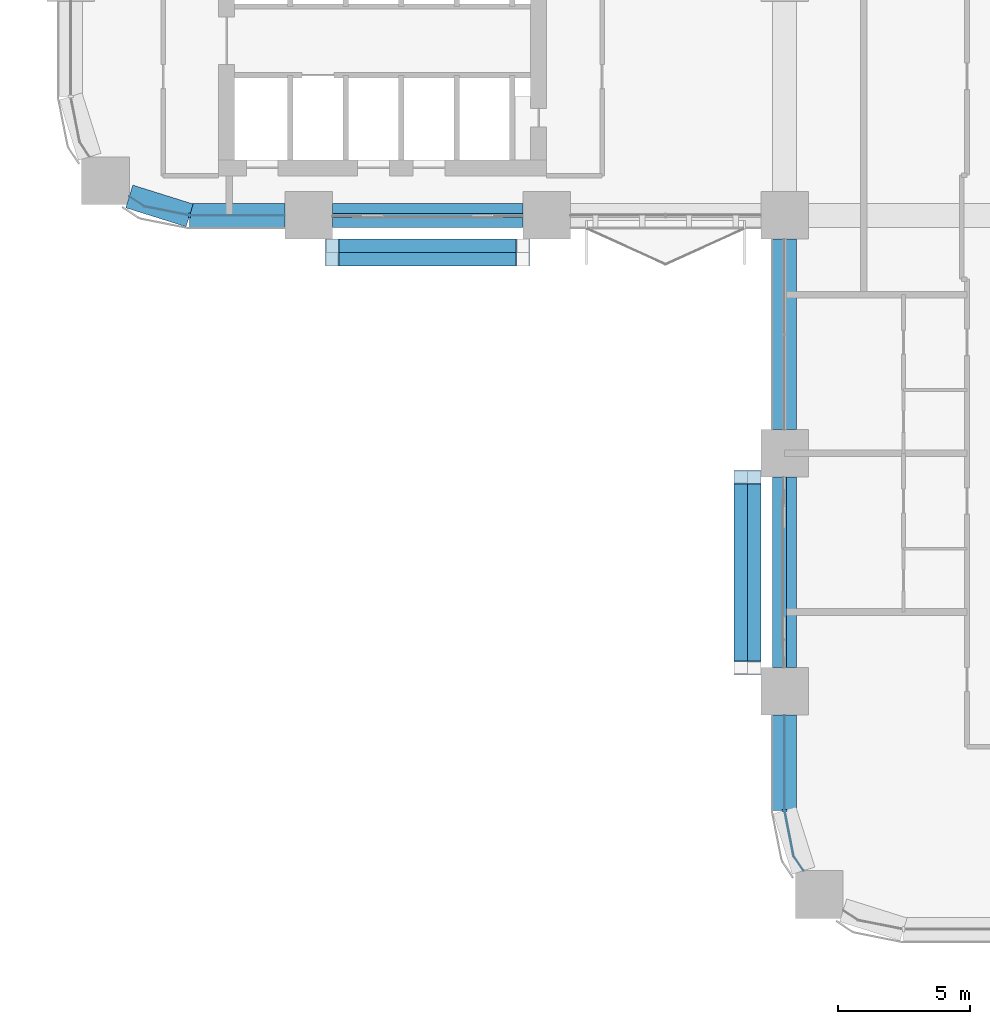
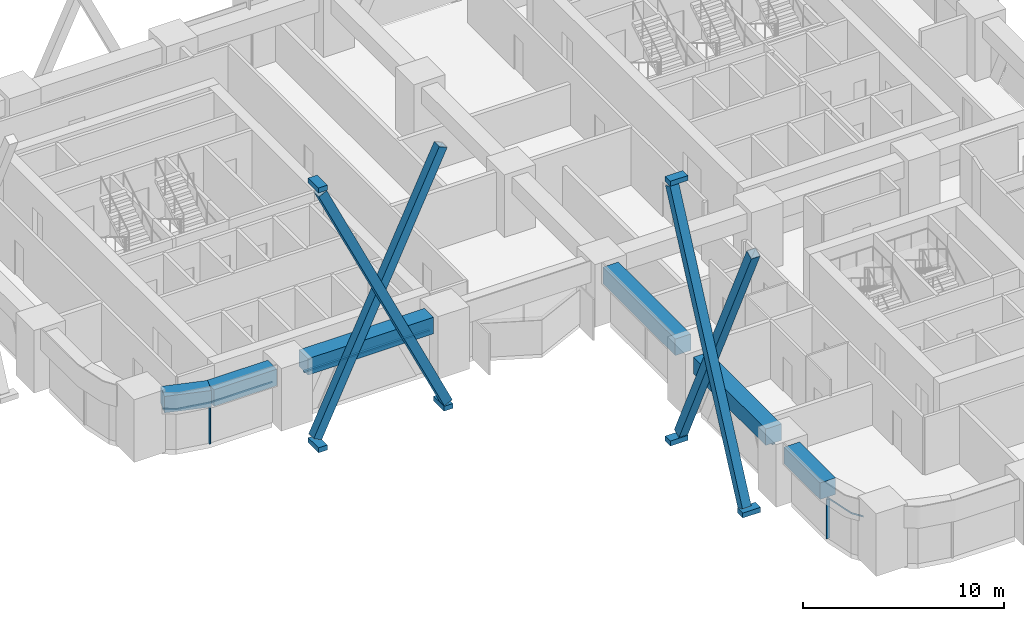
# One storey, part 2 of 19: 16 members, 6 beams, 4 elements without a shape of their own.
"""IFC4 building model written with IfcOpenShell, lengths in metres."""

from ifc_helpers import new_model, si_unit, direction, frame, origin, origin_2d, place, context, subcontext, project, spatial, polyline, rectangle, hollow_rectangle, outline, extrude, material, layer, layer_set, material_profile, profile_set, type_object, element, aggregate, save


model = new_model("IFC4")

# Units and contexts
model_context = context("Model", 3, precision=1e-05, world=origin(), true_north=direction((0.0, 1.0)))
body_context = subcontext(model_context, "Body", "Model", "MODEL_VIEW")
ifc_project = project(units=[si_unit("LENGTHUNIT", "METRE"), si_unit("AREAUNIT", "SQUARE_METRE"), si_unit("VOLUMEUNIT", "CUBIC_METRE"), si_unit("PLANEANGLEUNIT", "RADIAN"), si_unit("MASSUNIT", "GRAM", prefix="KILO")], contexts=[model_context])

# Site, building, storey
site_placement = place(None, origin())
site = spatial("IfcSite", under=ifc_project, at=site_placement, CompositionType="ELEMENT")
building_placement = place(site_placement, origin())
building = spatial("IfcBuilding", under=site, at=building_placement, Name="Tessera Arch", CompositionType="ELEMENT")
storey_placement = place(building_placement, frame((0.0, 0.0, 93.0)))
storey = spatial("IfcBuildingStorey", under=building, at=storey_placement, Name="L21", CompositionType="ELEMENT", Elevation=93.0)

# Members
ifc_material_1 = material(Name="Steel A500 Gr C", Category="steel")
ifc_material_profile_1 = material_profile(ifc_material_1, hollow_rectangle(XDim=0.508056640625, YDim=0.508056640625, WallThickness=0.0146484375, at=origin_2d()), Name="HSS20x20x5/8")
ifc_profile_set_1 = profile_set([ifc_material_profile_1], Name="Steel A500 Gr C")
member_type_1 = type_object("IfcMemberType", Name="Brace HSS20x20x5/8 Steel A500 Gr C", PredefinedType="BRACE", material=ifc_profile_set_1)
for number, where, z_axis, x_axis, name in (
    (1, (9.89990234375, 25.845947265625, -0.800048828125), (0.428096952335, 0.0, 0.903732814167), (0.0, 1.0, 0.0), "Brace S27.0-1 A L21-L24"),
    (2, (17.10009765625, 25.337890625, -0.800048828125), (-0.428096952335, 0.0, 0.903732814167), (0.0, -1.0, 0.0), "Brace S27.0-1 B L21-L24"),
    (3, (25.845947265625, 17.10009765625, -0.800048828125), (0.0, -0.428096952335, 0.903732814167), (1.0, 0.0, 0.0), "Brace W27.0-1 A L21-L24"),
    (4, (25.337890625, 9.89990234375, -0.800048828125), (0.0, 0.428096952335, 0.903732814167), (-1.0, 0.0, 0.0), "Brace W27.0-1 B L21-L24"),
):
    element("IfcMember", number, at=place(storey_placement, frame(where, z_axis=z_axis, x_axis=x_axis)), inside=storey, type_object=member_type_1, Name=name, PredefinedType="BRACE", context=body_context, shape_type="SweptSolid", body=[
        extrude(hollow_rectangle(XDim=0.508056640625, YDim=0.508056640625, WallThickness=0.0146484375, at=origin_2d()), origin(), (0.0, 0.0, 1.0), 16.819091796875),
    ])

# Curtain wall, member
ifc_material_2 = material(Name="CW2 curtain wall")
curtain_wall_type_1 = type_object("IfcCurtainWallType", Name="CW2 curtain wall", PredefinedType="NOTDEFINED", material=ifc_material_2)
curtain_wall_1_placement = place(storey_placement, origin())
curtain_wall_1 = element("IfcCurtainWall", 5, at=curtain_wall_1_placement, inside=storey, type_object=curtain_wall_type_1, Name="CW2 curtain wall S27.0/0 L21", PredefinedType="NOTDEFINED")
ifc_material_3 = material(Name="Anodised aluminium pale metal", Category="aluminium")
ifc_material_profile_2 = material_profile(ifc_material_3, rectangle(XDim=0.199951171875, YDim=0.080078125, at=origin_2d()), Name="AL 80x200")
ifc_profile_set_2 = profile_set([ifc_material_profile_2], Name="Anodised aluminium pale metal")
member_type_2 = type_object("IfcMemberType", Name="CW2 mullion", PredefinedType="MULLION", material=ifc_profile_set_2)
member_1_placement = place(storey_placement, frame((4.5, 27.0, 0.0), z_axis=(0.0, 0.0, 1.0), x_axis=(0.0, 1.0, 0.0)))
member_1 = element("IfcMember", 6, at=member_1_placement, type_object=member_type_2, Name="CW2 mullion S27.0/0 1", PredefinedType="MULLION", context=body_context, shape_type="SweptSolid", body=[
    extrude(rectangle(XDim=0.199951171875, YDim=0.080078125, at=origin_2d()), origin(), (0.0, 0.0, 1.0), 2.39990234375),
])

curtain_wall_2_placement = place(storey_placement, origin())
curtain_wall_2 = element("IfcCurtainWall", 7, at=curtain_wall_2_placement, inside=storey, type_object=curtain_wall_type_1, Name="CW2 curtain wall W27.0/2 L21", PredefinedType="NOTDEFINED")
member_2_placement = place(storey_placement, frame((27.0, 4.5, 0.0), z_axis=(0.0, 0.0, 1.0), x_axis=(1.0, 0.0, 0.0)))
member_2 = element("IfcMember", 8, at=member_2_placement, type_object=member_type_2, Name="CW2 mullion W27.0/2 1", PredefinedType="MULLION", context=body_context, shape_type="SweptSolid", body=[
    extrude(rectangle(XDim=0.199951171875, YDim=0.080078125, at=origin_2d()), origin(), (0.0, 0.0, 1.0), 2.39990234375),
])

# Member
ifc_material_4 = material(Name="Anodised aluminium pale metal", Category="aluminium")
ifc_material_profile_3 = material_profile(ifc_material_4, rectangle(XDim=0.199951171875, YDim=0.10009765625, at=origin_2d()), Name="AL 200x100")
ifc_profile_set_3 = profile_set([ifc_material_profile_3], Name="Anodised aluminium pale metal")
member_type_3 = type_object("IfcMemberType", Name="CW2 transom", PredefinedType="USERDEFINED", material=ifc_profile_set_3)
member_3_placement = place(storey_placement, frame((0.0, 0.0, 2.39990234375)))
member_3 = element("IfcMember", 9, at=member_3_placement, type_object=member_type_3, Name="CW2 transom S27.0/0 1", ObjectType="TRANSOM", PredefinedType="USERDEFINED", context=body_context, shape_type="SweptSolid", body=[
    extrude(outline(polyline([(2.78173828125, 27.351806640625), (2.2236328125, 27.72509765625), (2.21240234375, 27.70849609375), (2.77392578125, 27.3330078125), (4.4990234375, 26.989990234375), (8.10009765625, 26.989990234375), (8.10009765625, 27.010009765625), (4.5009765625, 27.010009765625), (2.78173828125, 27.351806640625)])), origin(), (0.0, 0.0, 1.0), 0.10009765625),
])

aggregate(curtain_wall_1, [member_1, member_3])

member_4_placement = place(storey_placement, frame((0.0, 0.0, 2.39990234375)))
member_4 = element("IfcMember", 10, at=member_4_placement, type_object=member_type_3, Name="CW2 transom W27.0/2 1", ObjectType="TRANSOM", PredefinedType="USERDEFINED", context=body_context, shape_type="SweptSolid", body=[
    extrude(outline(polyline([(27.010009765625, 4.5009765625), (27.010009765625, 8.10009765625), (26.989990234375, 8.10009765625), (26.989990234375, 4.4990234375), (27.3330078125, 2.77392578125), (27.70849609375, 2.21240234375), (27.72509765625, 2.2236328125), (27.351806640625, 2.78173828125), (27.010009765625, 4.5009765625)])), origin(), (0.0, 0.0, 1.0), 0.10009765625),
])

aggregate(curtain_wall_2, [member_2, member_4])

# Curtain wall, member
ifc_material_5 = material(Name="CW3 curtain wall")
curtain_wall_type_2 = type_object("IfcCurtainWallType", Name="CW3 curtain wall", PredefinedType="NOTDEFINED", material=ifc_material_5)
curtain_wall_3_placement = place(storey_placement, origin())
curtain_wall_3 = element("IfcCurtainWall", 11, at=curtain_wall_3_placement, inside=storey, type_object=curtain_wall_type_2, Name="CW3 curtain wall S27.0/1 L21", PredefinedType="NOTDEFINED")
ifc_material_6 = material(Name="Anodised aluminium pale metal", Category="aluminium")
ifc_material_profile_4 = material_profile(ifc_material_6, rectangle(XDim=0.139892578125, YDim=0.10009765625, at=origin_2d()), Name="AL 140x100")
ifc_profile_set_4 = profile_set([ifc_material_profile_4], Name="Anodised aluminium pale metal")
member_type_4 = type_object("IfcMemberType", Name="CW3 transom", PredefinedType="USERDEFINED", material=ifc_profile_set_4)
member_5_placement = place(storey_placement, frame((9.89990234375, 27.0, 2.449951171875), z_axis=(1.0, 0.0, 0.0), x_axis=(0.0, 1.0, 0.0)))
member_5 = element("IfcMember", 12, at=member_5_placement, type_object=member_type_4, Name="CW3 transom S27.0/1 1.1", ObjectType="TRANSOM", PredefinedType="USERDEFINED", context=body_context, shape_type="SweptSolid", body=[
    extrude(rectangle(XDim=0.139892578125, YDim=0.10009765625, at=origin_2d()), origin(), (0.0, 0.0, 1.0), 7.2001953125),
])
aggregate(curtain_wall_3, [member_5])

curtain_wall_4_placement = place(storey_placement, origin())
curtain_wall_4 = element("IfcCurtainWall", 13, at=curtain_wall_4_placement, inside=storey, type_object=curtain_wall_type_2, Name="CW3 curtain wall W27.0/1 L21", PredefinedType="NOTDEFINED")
member_6_placement = place(storey_placement, frame((27.0, 17.10009765625, 2.449951171875), z_axis=(0.0, -1.0, 0.0), x_axis=(1.0, 0.0, 0.0)))
member_6 = element("IfcMember", 14, at=member_6_placement, type_object=member_type_4, Name="CW3 transom W27.0/1 1.1", ObjectType="TRANSOM", PredefinedType="USERDEFINED", context=body_context, shape_type="SweptSolid", body=[
    extrude(rectangle(XDim=0.139892578125, YDim=0.10009765625, at=origin_2d()), origin(), (0.0, 0.0, 1.0), 7.2001953125),
])
aggregate(curtain_wall_4, [member_6])

# Members
ifc_material_7 = material(Name="Steel A572 Gr50", Category="steel")
ifc_layer = layer(ifc_material_7, 0.050048828125)
ifc_layer_set = layer_set([ifc_layer], Name="Node block Steel A572 Gr50")
member_type_5 = type_object("IfcMemberType", Name="Node block Steel A572 Gr50", PredefinedType="PLATE", material=ifc_layer_set)
for number, where, z_axis, x_axis, name in (
    (15, (17.10009765625, 25.592041015625, -1.2314453125), (0.0, 0.0, 1.0), (1.0, 0.0, 0.0), "Node block seat S27.0-1 1 L21"),
    (16, (9.89990234375, 25.592041015625, -1.2314453125), (0.0, 0.0, 1.0), (1.0, 0.0, 0.0), "Node block seat S27.0-1 2 L21"),
    (17, (9.89990234375, 25.592041015625, 14.53125), (0.0, 0.0, 1.0), (1.0, 0.0, 0.0), "Node block head S27.0-1 B L21"),
    (18, (25.592041015625, 9.89990234375, -1.2314453125), (0.0, 0.0, 1.0), (0.0, -1.0, 0.0), "Node block seat W27.0-1 1 L21"),
    (19, (25.592041015625, 17.10009765625, -1.2314453125), (0.0, 0.0, 1.0), (0.0, -1.0, 0.0), "Node block seat W27.0-1 2 L21"),
    (20, (25.592041015625, 17.10009765625, 14.53125), (0.0, 0.0, 1.0), (0.0, -1.0, 0.0), "Node block head W27.0-1 B L21"),
):
    element("IfcMember", number, at=place(storey_placement, frame(where, z_axis=z_axis, x_axis=x_axis)), inside=storey, type_object=member_type_5, Name=name, PredefinedType="PLATE", context=body_context, shape_type="SweptSolid", body=[
        extrude(rectangle(XDim=0.508056640625, YDim=1.01611328125, at=origin_2d()), origin(), (0.0, 0.0, 1.0), 0.300048828125),
    ])

# Beams
ifc_material_8 = material(Name="Concrete C80/95", Category="concrete")
ifc_material_profile_5 = material_profile(ifc_material_8, rectangle(XDim=0.89990234375, YDim=1.0, at=origin_2d()), Name="RC spandrel beam 900 x 1000 Concrete C80/95")
ifc_profile_set_5 = profile_set([ifc_material_profile_5], Name="Concrete C80/95")
beam_type = type_object("IfcBeamType", Name="RC spandrel beam 900 x 1000 Concrete C80/95", PredefinedType="BEAM", material=ifc_profile_set_5)
beam_1_placement = place(storey_placement, frame((2.218017578125, 27.716796875, 3.0), z_axis=(0.954041251279, -0.299675309057, 0.0), x_axis=(0.299675309057, 0.954041251279, 0.0)))
element("IfcBeam", 21, at=beam_1_placement, inside=storey, type_object=beam_type, Name="Spandrel beam L21 S27.0/0.1", PredefinedType="BEAM", context=body_context, shape_type="SweptSolid", body=[
    extrude(rectangle(XDim=0.89990234375, YDim=1.0, at=origin_2d()), origin(), (0.0, 0.0, 1.0), 2.391845703125),
])
beam_2_placement = place(storey_placement, frame((4.5, 27.0, 3.0), z_axis=(1.0, 0.0, 0.0), x_axis=(0.0, 1.0, 0.0)))
element("IfcBeam", 22, at=beam_2_placement, inside=storey, type_object=beam_type, Name="Spandrel beam L21 S27.0/0.2", PredefinedType="BEAM", context=body_context, shape_type="SweptSolid", body=[
    extrude(rectangle(XDim=0.89990234375, YDim=1.0, at=origin_2d()), origin(), (0.0, 0.0, 1.0), 3.60009765625),
])
for number, where, z_axis, x_axis, name in (
    (23, (9.89990234375, 27.0, 3.0), (1.0, 0.0, 0.0), (0.0, 1.0, 0.0), "Spandrel beam L21 S27.0/1"),
    (24, (27.0, 26.10009765625, 3.0), (0.0, -1.0, 0.0), (1.0, 0.0, 0.0), "Spandrel beam L21 W27.0/0"),
    (25, (27.0, 17.10009765625, 3.0), (0.0, -1.0, 0.0), (1.0, 0.0, 0.0), "Spandrel beam L21 W27.0/1"),
):
    element("IfcBeam", number, at=place(storey_placement, frame(where, z_axis=z_axis, x_axis=x_axis)), inside=storey, type_object=beam_type, Name=name, PredefinedType="BEAM", context=body_context, shape_type="SweptSolid", body=[
        extrude(rectangle(XDim=0.89990234375, YDim=1.0, at=origin_2d()), origin(), (0.0, 0.0, 1.0), 7.2001953125),
    ])
beam_3_placement = place(storey_placement, frame((27.0, 8.10009765625, 3.0), z_axis=(0.0, -1.0, 0.0), x_axis=(1.0, 0.0, 0.0)))
element("IfcBeam", 26, at=beam_3_placement, inside=storey, type_object=beam_type, Name="Spandrel beam L21 W27.0/2.1", PredefinedType="BEAM", context=body_context, shape_type="SweptSolid", body=[
    extrude(rectangle(XDim=0.89990234375, YDim=1.0, at=origin_2d()), origin(), (0.0, 0.0, 1.0), 3.60009765625),
])

save(model, "model.ifc")
